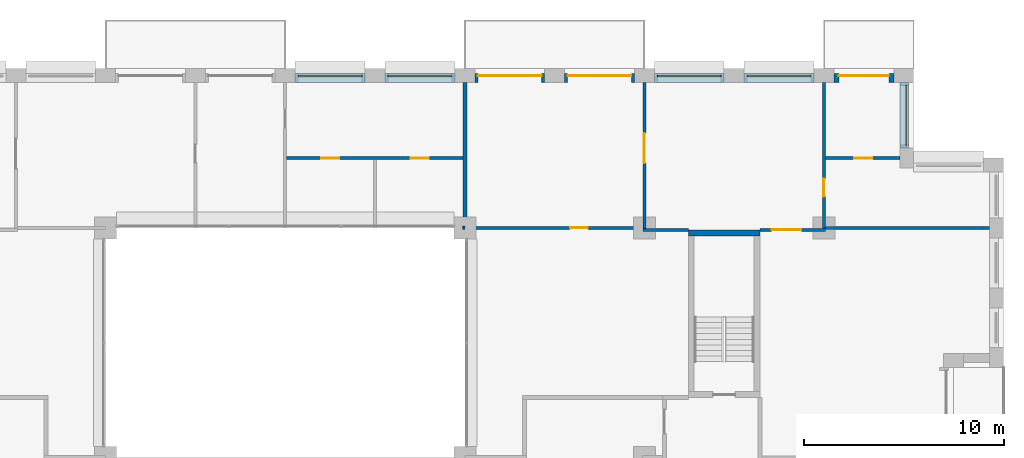
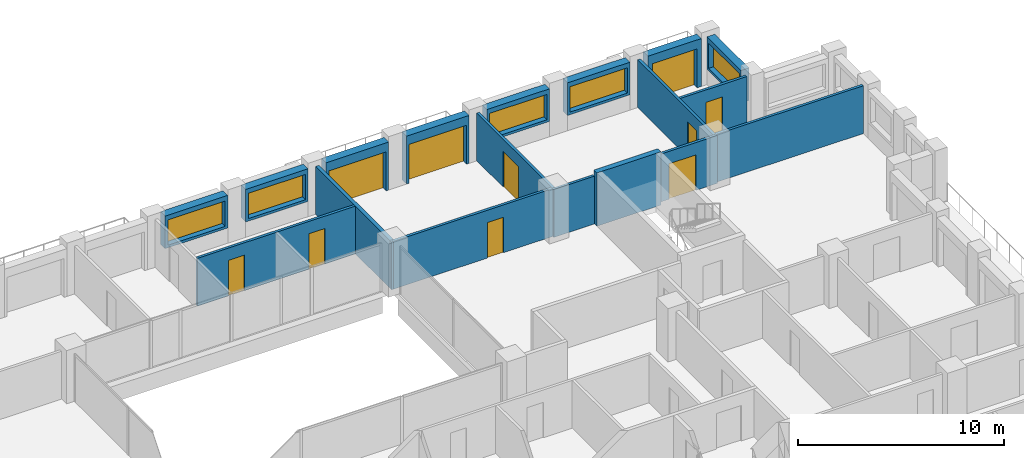
# One storey, part 13 of 15: 19 walls, 10 doors, 5 windows, 15 openings.
"""IFC4 building model written with IfcOpenShell, lengths in metres."""

import ifcopenshell
import ifcopenshell.guid

model = None  # the IFC model being written
_history = None  # IfcOwnerHistory: only IFC2X3 demands one
_inside = {}  # id of a spatial element -> (the spatial element, [elements in it])
_under = {}  # id of a project, library or spatial element -> (it, [spatial elements below it])
_declared = {}  # id of a project -> (the project, [libraries it declares])
_typed = {}  # id of a type object -> (the type object, [elements of that type])
_made_of = {}  # id of a material, layer set ... -> (it, [elements and type objects made of it])


def new_model(schema):
    """Start an empty IFC model of exactly this schema.

    Asked for "IFC4X3", IfcOpenShell would pick the latest addendum, in which some entities
    have other attributes; the version numbers below select the first issue.
    IFC2X3 requires an IfcOwnerHistory on every rooted entity: one is made here for all.
    """
    global model, _history
    if schema == "IFC4X3":
        model = ifcopenshell.file(schema_version=(4, 3, 0, 0))
    else:
        model = ifcopenshell.file(schema=schema)
    _inside.clear()
    _under.clear()
    _declared.clear()
    _typed.clear()
    _made_of.clear()
    _history = None
    if model.schema == "IFC2X3":
        org = make("IfcOrganization", Name="unknown")
        user = make(
            "IfcPersonAndOrganization",
            ThePerson=make("IfcPerson", FamilyName="unknown"),
            TheOrganization=org,
        )
        app = make(
            "IfcApplication",
            ApplicationDeveloper=org,
            Version="unknown",
            ApplicationFullName="unknown",
            ApplicationIdentifier="unknown",
        )
        _history = make(
            "IfcOwnerHistory",
            OwningUser=user,
            OwningApplication=app,
            ChangeAction="ADDED",
            CreationDate=0,
        )
    return model


def make(cls, **values):
    """One entity of the class cls with the attributes given. An attribute that is None is left unset."""
    return model.create_entity(
        cls, **{name: value for name, value in values.items() if value is not None}
    )


def rooted(cls, **values):
    """An entity with a GlobalId (a new one), such as an element, a storey or a relation."""
    return make(cls, GlobalId=ifcopenshell.guid.new(), OwnerHistory=_history, **values)


def si_unit(unit_type, name, prefix=None):
    """IfcSIUnit, for example si_unit("LENGTHUNIT", "METRE", prefix="MILLI")."""
    return make("IfcSIUnit", UnitType=unit_type, Prefix=prefix, Name=name)


def assignment(units):
    """IfcUnitAssignment: the units of a project."""
    return None if units is None else make("IfcUnitAssignment", Units=units)


def point(xyz):
    """IfcCartesianPoint."""
    return None if xyz is None else make("IfcCartesianPoint", Coordinates=xyz)


def direction(xyz):
    """IfcDirection."""
    return None if xyz is None else make("IfcDirection", DirectionRatios=xyz)


def frame(location, z_axis=None, x_axis=None):
    """IfcAxis2Placement3D, a coordinate frame: its origin and axes. An axis left out is left unset."""
    return make(
        "IfcAxis2Placement3D",
        Location=point(location),
        Axis=direction(z_axis),
        RefDirection=direction(x_axis),
    )


def frame_2d(location, x_axis=None):
    """IfcAxis2Placement2D, a coordinate frame in the plane: its origin and x axis."""
    return make(
        "IfcAxis2Placement2D", Location=point(location), RefDirection=direction(x_axis)
    )


def origin():
    """The frame at (0, 0, 0) with its axes left unset."""
    return frame((0.0, 0.0, 0.0))


def place(relative_to, where):
    """IfcLocalPlacement: puts the frame where relative to a parent placement (None: the world)."""
    return make(
        "IfcLocalPlacement", PlacementRelTo=relative_to, RelativePlacement=where
    )


def context(
    kind, dimensions, precision=None, world=None, true_north=None, identifier=None
):
    """IfcGeometricRepresentationContext, for example the 3D "Model" context."""
    return make(
        "IfcGeometricRepresentationContext",
        ContextIdentifier=identifier,
        ContextType=kind,
        CoordinateSpaceDimension=dimensions,
        Precision=precision,
        WorldCoordinateSystem=world,
        TrueNorth=true_north,
    )


def subcontext(parent, identifier, kind, view, scale=None):
    """IfcGeometricRepresentationSubContext, for example "Body" below "Model"."""
    return make(
        "IfcGeometricRepresentationSubContext",
        ContextIdentifier=identifier,
        ContextType=kind,
        ParentContext=parent,
        TargetScale=scale,
        TargetView=view,
    )


def project(units=None, contexts=None):
    """IfcProject with its units and contexts."""
    return rooted(
        "IfcProject",
        Name="project",
        RepresentationContexts=contexts,
        UnitsInContext=assignment(units),
    )


def spatial(cls, under=None, at=None, **own):
    """A site, building, storey or space (cls), placed at a placement, below another one or the project."""
    s = rooted(cls, ObjectPlacement=at, **own)
    if under is not None:
        _under.setdefault(under.id(), (under, []))[1].append(s)
    return s


def profile(cls, at=None, kind="AREA", **sizes):
    """A parametric profile (cls). Its sizes go by their IFC names, for example OverallWidth=200.0."""
    return make(cls, ProfileType=kind, Position=at, **sizes)


def rectangle(**sizes):
    """IfcRectangleProfileDef."""
    return profile("IfcRectangleProfileDef", **sizes)


def extrude(swept, where, along, depth):
    """IfcExtrudedAreaSolid: the profile swept, set in the frame where, extruded along a direction by depth."""
    return make(
        "IfcExtrudedAreaSolid",
        SweptArea=swept,
        Position=where,
        ExtrudedDirection=direction(along),
        Depth=depth,
    )


def shape(context_of_items, identifier, shape_type, items):
    """IfcShapeRepresentation: the items that make up one representation, for example the "Body"."""
    return make(
        "IfcShapeRepresentation",
        ContextOfItems=context_of_items,
        RepresentationIdentifier=identifier,
        RepresentationType=shape_type,
        Items=items,
    )


def material(Name=None, Category=None):
    """IfcMaterial."""
    return make("IfcMaterial", Name=Name, Category=Category)


def layer(
    of_material, thickness, ventilated=None, Name=None, Category=None, Priority=None
):
    """IfcMaterialLayer: one layer of a wall or slab, of a material (None: an air gap)."""
    return make(
        "IfcMaterialLayer",
        Material=of_material,
        LayerThickness=thickness,
        IsVentilated=ventilated,
        Name=Name,
        Category=Category,
        Priority=Priority,
    )


def layer_set(layers, Name=None):
    """IfcMaterialLayerSet."""
    return make("IfcMaterialLayerSet", MaterialLayers=layers, LayerSetName=Name)


def made_of(thing, what):
    """Note that an element or type object is made of a material, layer set ...; save() writes the relation."""
    if what is not None:
        _made_of.setdefault(what.id(), (what, []))[1].append(thing)
    return thing


def type_object(cls, material=None, **own):
    """A type object (cls), such as IfcWallType, which elements share."""
    return made_of(rooted(cls, **own), material)


def element(
    cls,
    number,
    at=None,
    inside=None,
    cuts=None,
    type_object=None,
    material=None,
    context=None,
    identifier="Body",
    shape_type=None,
    held_by="IfcProductDefinitionShape",
    body=None,
    shapes=None,
    **own,
):
    """One element of the class cls, such as IfcWall. Its Tag is "e" and its number.

    at: its placement. inside: the storey or other place that contains it. cuts: it is an
    opening in that element (IfcRelVoidsElement). A single representation is given by context,
    identifier, shape_type and body (its items); several are given by shapes. held_by: the class
    of the entity that holds the representations. save() writes the other relations.
    """
    e = rooted(cls, Tag="e%d" % number, ObjectPlacement=at, **own)
    if body is not None:
        shapes = [shape(context, identifier, shape_type, body)]
    if shapes is not None:
        e.Representation = make(held_by, Representations=shapes)
    if inside is not None:
        _inside.setdefault(inside.id(), (inside, []))[1].append(e)
    if cuts is not None:
        rooted(
            "IfcRelVoidsElement", RelatingBuildingElement=cuts, RelatedOpeningElement=e
        )
    if type_object is not None:
        _typed.setdefault(type_object.id(), (type_object, []))[1].append(e)
    return made_of(e, material)


def fill(opening, filler):
    """IfcRelFillsElement: the door or window that sits in an opening."""
    return rooted(
        "IfcRelFillsElement",
        RelatingOpeningElement=opening,
        RelatedBuildingElement=filler,
    )


def aggregate(whole, parts):
    """IfcRelAggregates: a whole, such as a stair, and the parts it consists of."""
    return rooted("IfcRelAggregates", RelatingObject=whole, RelatedObjects=parts)


def save(model, path):
    """Write the relations noted so far, then the file.

    IfcRelAggregates (storeys below a building ...), IfcRelContainedInSpatialStructure (elements
    in a storey), IfcRelDefinesByType, IfcRelAssociatesMaterial and IfcRelDeclares: one each for
    every whole, place, type object, material and project.
    """
    for whole, parts in _under.values():
        aggregate(whole, parts)
    for where, things in _inside.values():
        rooted(
            "IfcRelContainedInSpatialStructure",
            RelatedElements=things,
            RelatingStructure=where,
        )
    for kind, things in _typed.values():
        rooted("IfcRelDefinesByType", RelatedObjects=things, RelatingType=kind)
    for what, things in _made_of.values():
        rooted("IfcRelAssociatesMaterial", RelatedObjects=things, RelatingMaterial=what)
    for by, libraries in _declared.values():
        rooted("IfcRelDeclares", RelatingContext=by, RelatedDefinitions=libraries)
    model.write(path)


model = new_model("IFC4")

# Units and contexts
model_context = context("Model", 3, precision=1e-05, world=origin(), true_north=direction((0.0, 1.0)))
body_context = subcontext(model_context, "Body", "Model", "MODEL_VIEW")
ifc_project = project(units=[si_unit("LENGTHUNIT", "METRE"), si_unit("AREAUNIT", "SQUARE_METRE"), si_unit("VOLUMEUNIT", "CUBIC_METRE"), si_unit("PLANEANGLEUNIT", "RADIAN"), si_unit("MASSUNIT", "GRAM", prefix="KILO")], contexts=[model_context])

# Site, building, storey
site_placement = place(None, origin())
site = spatial("IfcSite", under=ifc_project, at=site_placement, CompositionType="ELEMENT")
building_placement = place(site_placement, origin())
building = spatial("IfcBuilding", under=site, at=building_placement, Name="Brigalow Station Residences", CompositionType="ELEMENT")
storey_placement = place(building_placement, frame((0.0, 0.0, 175.949951171875)))
storey = spatial("IfcBuildingStorey", under=building, at=storey_placement, Name="L51", CompositionType="ELEMENT", Elevation=175.949951171875)

# Wall, opening, window
ifc_material_1 = material(Name="Clay brick masonry", Category="masonry")
ifc_layer_1 = layer(ifc_material_1, 0.449951171875)
ifc_layer_set_1 = layer_set([ifc_layer_1], Name="BRICK INFILL WALL 450")
wall_type_1 = type_object("IfcWallType", Name="BRICK INFILL WALL 450", PredefinedType="SOLIDWALL", material=ifc_layer_set_1)
wall_1_placement = place(storey_placement, frame((67.02490234375, 39.5, 0.900146484375), z_axis=(0.0, 0.0, 1.0), x_axis=(0.0, 1.0, 0.0)))
wall_1 = element("IfcWall", 1, at=wall_1_placement, inside=storey, type_object=wall_type_1, Name="L51/ewall/W-L51-21", PredefinedType="SOLIDWALL", context=body_context, shape_type="SweptSolid", body=[
    extrude(rectangle(XDim=3.300048828125, YDim=0.449951171875, at=frame_2d((1.64990234375, 0.0))), origin(), (0.0, 0.0, 1.0), 1.929931640625),
])
opening_1_placement = place(wall_1_placement, frame((0.14990234375, 0.0, 0.14990234375)))
opening_1 = element("IfcOpeningElement", 2, at=opening_1_placement, cuts=wall_1, Name="Opening WT-2", PredefinedType="OPENING", context=body_context, shape_type="SweptSolid", body=[
    extrude(rectangle(XDim=3.0, YDim=1.5, at=frame_2d((1.5, 0.75))), frame((0.0, 0.23486328125, 0.0), z_axis=(0.0, -1.0, 0.0), x_axis=(1.0, 0.0, 0.0)), (0.0, 0.0, 1.0), 0.469970703125),
])
ifc_material_2 = material(Name="Anodised aluminium frame with double glazing", Category="aluminium")
window_type_1 = type_object("IfcWindowType", Name="WINDOW 3000x1500", PartitioningType="SINGLE_PANEL", PredefinedType="WINDOW", material=ifc_material_2)
window_1_placement = place(opening_1_placement, origin())
window_1 = element("IfcWindow", 3, at=window_1_placement, inside=storey, type_object=window_type_1, Name="L51/window/W-L51-21", OverallHeight=1.5, OverallWidth=3.0, PartitioningType="SINGLE_PANEL", PredefinedType="WINDOW", context=body_context, shape_type="SweptSolid", body=[
    extrude(rectangle(XDim=3.0, YDim=1.5, at=frame_2d((1.5, 0.75))), frame((0.0, -0.06494140625, 0.0), z_axis=(0.0, -1.0, 0.0), x_axis=(1.0, 0.0, 0.0)), (0.0, 0.0, 1.0), 0.06005859375),
])
fill(opening_1, window_1)

# Wall, opening, door
wall_2_placement = place(storey_placement, frame((66.5, 43.02490234375, 0.0), z_axis=(0.0, 0.0, 1.0), x_axis=(-1.0, 0.0, 0.0)))
wall_2 = element("IfcWall", 4, at=wall_2_placement, inside=storey, type_object=wall_type_1, Name="L51/ewall/W-L51-22", PredefinedType="SOLIDWALL", context=body_context, shape_type="SweptSolid", body=[
    extrude(rectangle(XDim=3.0, YDim=0.449951171875, at=frame_2d((1.5, 0.0))), origin(), (0.0, 0.0, 1.0), 2.830078125),
])
opening_2_placement = place(wall_2_placement, frame((0.25, 0.0, 0.0)))
opening_2 = element("IfcOpeningElement", 5, at=opening_2_placement, cuts=wall_2, Name="Opening D-B2500", PredefinedType="OPENING", context=body_context, shape_type="SweptSolid", body=[
    extrude(rectangle(XDim=2.5, YDim=2.300048828125, at=frame_2d((1.25, 1.14990234375))), frame((0.0, 0.23486328125, 0.0), z_axis=(0.0, -1.0, 0.0), x_axis=(1.0, 0.0, 0.0)), (0.0, 0.0, 1.0), 0.469970703125),
])
ifc_material_3 = material(Name="Anodised aluminium frame with double glazing", Category="aluminium")
door_type_1 = type_object("IfcDoorType", Name="BALCONY SLIDING DOOR 2500x2300", OperationType="SLIDING_TO_LEFT", PredefinedType="DOOR", material=ifc_material_3)
door_1_placement = place(opening_2_placement, origin())
door_1 = element("IfcDoor", 6, at=door_1_placement, inside=storey, type_object=door_type_1, Name="L51/balcony-door/W-L51-22", OperationType="SLIDING_TO_LEFT", OverallHeight=2.300048828125, OverallWidth=2.5, PredefinedType="DOOR", context=body_context, shape_type="SweptSolid", body=[
    extrude(rectangle(XDim=2.5, YDim=2.300048828125, at=frame_2d((1.25, 1.14990234375))), frame((0.0, -0.06982421875, 0.0), z_axis=(0.0, -1.0, 0.0), x_axis=(1.0, 0.0, 0.0)), (0.0, 0.0, 1.0), 0.050048828125),
])
fill(opening_2, door_1)

# Wall, opening, window
wall_3_placement = place(storey_placement, frame((62.5, 43.02490234375, 0.900146484375), z_axis=(0.0, 0.0, 1.0), x_axis=(-1.0, 0.0, 0.0)))
wall_3 = element("IfcWall", 7, at=wall_3_placement, inside=storey, type_object=wall_type_1, Name="L51/ewall/W-L51-23", PredefinedType="SOLIDWALL", context=body_context, shape_type="SweptSolid", body=[
    extrude(rectangle(XDim=3.5, YDim=0.449951171875, at=frame_2d((1.75, 0.0))), origin(), (0.0, 0.0, 1.0), 1.929931640625),
])
opening_3_placement = place(wall_3_placement, frame((0.14990234375, 0.0, 0.14990234375)))
opening_3 = element("IfcOpeningElement", 8, at=opening_3_placement, cuts=wall_3, Name="Opening WT-9", PredefinedType="OPENING", context=body_context, shape_type="SweptSolid", body=[
    extrude(rectangle(XDim=3.199951171875, YDim=1.5, at=frame_2d((1.60009765625, 0.75))), frame((0.0, 0.23486328125, 0.0), z_axis=(0.0, -1.0, 0.0), x_axis=(1.0, 0.0, 0.0)), (0.0, 0.0, 1.0), 0.469970703125),
])
ifc_material_4 = material(Name="Anodised aluminium frame with double glazing", Category="aluminium")
window_type_2 = type_object("IfcWindowType", Name="WINDOW 3200x1500", PartitioningType="SINGLE_PANEL", PredefinedType="WINDOW", material=ifc_material_4)
window_2_placement = place(opening_3_placement, origin())
window_2 = element("IfcWindow", 9, at=window_2_placement, inside=storey, type_object=window_type_2, Name="L51/window/W-L51-23", OverallHeight=1.5, OverallWidth=3.199951171875, PartitioningType="SINGLE_PANEL", PredefinedType="WINDOW", context=body_context, shape_type="SweptSolid", body=[
    extrude(rectangle(XDim=3.199951171875, YDim=1.5, at=frame_2d((1.60009765625, 0.75))), frame((0.0, -0.06494140625, 0.0), z_axis=(0.0, -1.0, 0.0), x_axis=(1.0, 0.0, 0.0)), (0.0, 0.0, 1.0), 0.06005859375),
])
fill(opening_3, window_2)

wall_4_placement = place(storey_placement, frame((58.0, 43.02490234375, 0.900146484375), z_axis=(0.0, 0.0, 1.0), x_axis=(-1.0, 0.0, 0.0)))
wall_4 = element("IfcWall", 10, at=wall_4_placement, inside=storey, type_object=wall_type_1, Name="L51/ewall/W-L51-24", PredefinedType="SOLIDWALL", context=body_context, shape_type="SweptSolid", body=[
    extrude(rectangle(XDim=3.5, YDim=0.449951171875, at=frame_2d((1.75, 0.0))), origin(), (0.0, 0.0, 1.0), 1.929931640625),
])
opening_4_placement = place(wall_4_placement, frame((0.14990234375, 0.0, 0.14990234375)))
opening_4 = element("IfcOpeningElement", 11, at=opening_4_placement, cuts=wall_4, Name="Opening WT-9", PredefinedType="OPENING", context=body_context, shape_type="SweptSolid", body=[
    extrude(rectangle(XDim=3.199951171875, YDim=1.5, at=frame_2d((1.60009765625, 0.75))), frame((0.0, 0.23486328125, 0.0), z_axis=(0.0, -1.0, 0.0), x_axis=(1.0, 0.0, 0.0)), (0.0, 0.0, 1.0), 0.469970703125),
])
window_3_placement = place(opening_4_placement, origin())
window_3 = element("IfcWindow", 12, at=window_3_placement, inside=storey, type_object=window_type_2, Name="L51/window/W-L51-24", OverallHeight=1.5, OverallWidth=3.199951171875, PartitioningType="SINGLE_PANEL", PredefinedType="WINDOW", context=body_context, shape_type="SweptSolid", body=[
    extrude(rectangle(XDim=3.199951171875, YDim=1.5, at=frame_2d((1.60009765625, 0.75))), frame((0.0, -0.06494140625, 0.0), z_axis=(0.0, -1.0, 0.0), x_axis=(1.0, 0.0, 0.0)), (0.0, 0.0, 1.0), 0.06005859375),
])
fill(opening_4, window_3)

# Wall, opening, door
wall_5_placement = place(storey_placement, frame((53.5, 43.02490234375, 0.0), z_axis=(0.0, 0.0, 1.0), x_axis=(-1.0, 0.0, 0.0)))
wall_5 = element("IfcWall", 13, at=wall_5_placement, inside=storey, type_object=wall_type_1, Name="L51/ewall/W-L51-25", PredefinedType="SOLIDWALL", context=body_context, shape_type="SweptSolid", body=[
    extrude(rectangle(XDim=3.5, YDim=0.449951171875, at=frame_2d((1.75, 0.0))), origin(), (0.0, 0.0, 1.0), 2.830078125),
])
opening_5_placement = place(wall_5_placement, frame((0.14990234375, 0.0, 0.0)))
opening_5 = element("IfcOpeningElement", 14, at=opening_5_placement, cuts=wall_5, Name="Opening D-B3200", PredefinedType="OPENING", context=body_context, shape_type="SweptSolid", body=[
    extrude(rectangle(XDim=3.199951171875, YDim=2.300048828125, at=frame_2d((1.60009765625, 1.14990234375))), frame((0.0, 0.23486328125, 0.0), z_axis=(0.0, -1.0, 0.0), x_axis=(1.0, 0.0, 0.0)), (0.0, 0.0, 1.0), 0.469970703125),
])
ifc_material_5 = material(Name="Anodised aluminium frame with double glazing", Category="aluminium")
door_type_2 = type_object("IfcDoorType", Name="BALCONY SLIDING DOOR 3200x2300", OperationType="SLIDING_TO_LEFT", PredefinedType="DOOR", material=ifc_material_5)
door_2_placement = place(opening_5_placement, origin())
door_2 = element("IfcDoor", 15, at=door_2_placement, inside=storey, type_object=door_type_2, Name="L51/balcony-door/W-L51-25", OperationType="SLIDING_TO_LEFT", OverallHeight=2.300048828125, OverallWidth=3.199951171875, PredefinedType="DOOR", context=body_context, shape_type="SweptSolid", body=[
    extrude(rectangle(XDim=3.199951171875, YDim=2.300048828125, at=frame_2d((1.60009765625, 1.14990234375))), frame((0.0, -0.06982421875, 0.0), z_axis=(0.0, -1.0, 0.0), x_axis=(1.0, 0.0, 0.0)), (0.0, 0.0, 1.0), 0.050048828125),
])
fill(opening_5, door_2)

wall_6_placement = place(storey_placement, frame((49.0, 43.02490234375, 0.0), z_axis=(0.0, 0.0, 1.0), x_axis=(-1.0, 0.0, 0.0)))
wall_6 = element("IfcWall", 16, at=wall_6_placement, inside=storey, type_object=wall_type_1, Name="L51/ewall/W-L51-26", PredefinedType="SOLIDWALL", context=body_context, shape_type="SweptSolid", body=[
    extrude(rectangle(XDim=3.5, YDim=0.449951171875, at=frame_2d((1.75, 0.0))), origin(), (0.0, 0.0, 1.0), 2.830078125),
])
opening_6_placement = place(wall_6_placement, frame((0.14990234375, 0.0, 0.0)))
opening_6 = element("IfcOpeningElement", 17, at=opening_6_placement, cuts=wall_6, Name="Opening D-B3200", PredefinedType="OPENING", context=body_context, shape_type="SweptSolid", body=[
    extrude(rectangle(XDim=3.199951171875, YDim=2.300048828125, at=frame_2d((1.60009765625, 1.14990234375))), frame((0.0, 0.23486328125, 0.0), z_axis=(0.0, -1.0, 0.0), x_axis=(1.0, 0.0, 0.0)), (0.0, 0.0, 1.0), 0.469970703125),
])
door_3_placement = place(opening_6_placement, origin())
door_3 = element("IfcDoor", 18, at=door_3_placement, inside=storey, type_object=door_type_2, Name="L51/balcony-door/W-L51-26", OperationType="SLIDING_TO_LEFT", OverallHeight=2.300048828125, OverallWidth=3.199951171875, PredefinedType="DOOR", context=body_context, shape_type="SweptSolid", body=[
    extrude(rectangle(XDim=3.199951171875, YDim=2.300048828125, at=frame_2d((1.60009765625, 1.14990234375))), frame((0.0, -0.06982421875, 0.0), z_axis=(0.0, -1.0, 0.0), x_axis=(1.0, 0.0, 0.0)), (0.0, 0.0, 1.0), 0.050048828125),
])
fill(opening_6, door_3)

# Wall, opening, window
wall_7_placement = place(storey_placement, frame((44.5, 43.02490234375, 0.900146484375), z_axis=(0.0, 0.0, 1.0), x_axis=(-1.0, 0.0, 0.0)))
wall_7 = element("IfcWall", 19, at=wall_7_placement, inside=storey, type_object=wall_type_1, Name="L51/ewall/W-L51-27", PredefinedType="SOLIDWALL", context=body_context, shape_type="SweptSolid", body=[
    extrude(rectangle(XDim=3.5, YDim=0.449951171875, at=frame_2d((1.75, 0.0))), origin(), (0.0, 0.0, 1.0), 1.929931640625),
])
opening_7_placement = place(wall_7_placement, frame((0.14990234375, 0.0, 0.14990234375)))
opening_7 = element("IfcOpeningElement", 20, at=opening_7_placement, cuts=wall_7, Name="Opening WT-9", PredefinedType="OPENING", context=body_context, shape_type="SweptSolid", body=[
    extrude(rectangle(XDim=3.199951171875, YDim=1.5, at=frame_2d((1.60009765625, 0.75))), frame((0.0, 0.23486328125, 0.0), z_axis=(0.0, -1.0, 0.0), x_axis=(1.0, 0.0, 0.0)), (0.0, 0.0, 1.0), 0.469970703125),
])
window_4_placement = place(opening_7_placement, origin())
window_4 = element("IfcWindow", 21, at=window_4_placement, inside=storey, type_object=window_type_2, Name="L51/window/W-L51-27", OverallHeight=1.5, OverallWidth=3.199951171875, PartitioningType="SINGLE_PANEL", PredefinedType="WINDOW", context=body_context, shape_type="SweptSolid", body=[
    extrude(rectangle(XDim=3.199951171875, YDim=1.5, at=frame_2d((1.60009765625, 0.75))), frame((0.0, -0.06494140625, 0.0), z_axis=(0.0, -1.0, 0.0), x_axis=(1.0, 0.0, 0.0)), (0.0, 0.0, 1.0), 0.06005859375),
])
fill(opening_7, window_4)

wall_8_placement = place(storey_placement, frame((40.0, 43.02490234375, 0.900146484375), z_axis=(0.0, 0.0, 1.0), x_axis=(-1.0, 0.0, 0.0)))
wall_8 = element("IfcWall", 22, at=wall_8_placement, inside=storey, type_object=wall_type_1, Name="L51/ewall/W-L51-28", PredefinedType="SOLIDWALL", context=body_context, shape_type="SweptSolid", body=[
    extrude(rectangle(XDim=3.5, YDim=0.449951171875, at=frame_2d((1.75, 0.0))), origin(), (0.0, 0.0, 1.0), 1.929931640625),
])
opening_8_placement = place(wall_8_placement, frame((0.14990234375, 0.0, 0.14990234375)))
opening_8 = element("IfcOpeningElement", 23, at=opening_8_placement, cuts=wall_8, Name="Opening WT-9", PredefinedType="OPENING", context=body_context, shape_type="SweptSolid", body=[
    extrude(rectangle(XDim=3.199951171875, YDim=1.5, at=frame_2d((1.60009765625, 0.75))), frame((0.0, 0.23486328125, 0.0), z_axis=(0.0, -1.0, 0.0), x_axis=(1.0, 0.0, 0.0)), (0.0, 0.0, 1.0), 0.469970703125),
])
window_5_placement = place(opening_8_placement, origin())
window_5 = element("IfcWindow", 24, at=window_5_placement, inside=storey, type_object=window_type_2, Name="L51/window/W-L51-28", OverallHeight=1.5, OverallWidth=3.199951171875, PartitioningType="SINGLE_PANEL", PredefinedType="WINDOW", context=body_context, shape_type="SweptSolid", body=[
    extrude(rectangle(XDim=3.199951171875, YDim=1.5, at=frame_2d((1.60009765625, 0.75))), frame((0.0, -0.06494140625, 0.0), z_axis=(0.0, -1.0, 0.0), x_axis=(1.0, 0.0, 0.0)), (0.0, 0.0, 1.0), 0.06005859375),
])
fill(opening_8, window_5)

# Walls
ifc_material_6 = material(Name="Concrete C65", Category="concrete")
ifc_layer_2 = layer(ifc_material_6, 0.300048828125)
ifc_layer_set_2 = layer_set([ifc_layer_2], Name="CORE SHEAR WALL 300 C65")
wall_type_2 = type_object("IfcWallType", Name="CORE SHEAR WALL 300 C65", PredefinedType="SHEAR", material=ifc_layer_set_2)
wall_9_placement = place(storey_placement, frame((56.199951171875, 35.25, 0.0), z_axis=(0.0, 0.0, 1.0), x_axis=(1.0, 0.0, 0.0)))
element("IfcWall", 25, at=wall_9_placement, inside=storey, type_object=wall_type_2, Name="CORE WALL ST-S3-N L51", PredefinedType="SHEAR", context=body_context, shape_type="SweptSolid", body=[
    extrude(rectangle(XDim=3.60009765625, YDim=0.300048828125, at=frame_2d((1.800048828125, 0.0))), origin(), (0.0, 0.0, 1.0), 3.150146484375),
])
ifc_material_7 = material(Name="Plasterboard on steel stud partition", Category="steel")
ifc_layer_3 = layer(ifc_material_7, 0.14990234375)
ifc_layer_set_3 = layer_set([ifc_layer_3], Name="FLAT PARTITION 150")
wall_type_3 = type_object("IfcWallType", Name="FLAT PARTITION 150", PredefinedType="PARTITIONING", material=ifc_layer_set_3)
wall_10_placement = place(storey_placement, frame((53.925048828125, 35.39990234375, 0.0), z_axis=(0.0, 0.0, 1.0), x_axis=(1.0, 0.0, 0.0)))
element("IfcWall", 26, at=wall_10_placement, inside=storey, type_object=wall_type_3, Name="PW-3E19", PredefinedType="PARTITIONING", context=body_context, shape_type="SweptSolid", body=[
    extrude(rectangle(XDim=2.27490234375, YDim=0.14990234375, at=frame_2d((1.137451171875, 0.0))), origin(), (0.0, 0.0, 1.0), 2.830078125),
])

# Wall, opening, door
wall_11_placement = place(storey_placement, frame((59.800048828125, 35.39990234375, 0.0), z_axis=(0.0, 0.0, 1.0), x_axis=(1.0, 0.0, 0.0)))
wall_11 = element("IfcWall", 27, at=wall_11_placement, inside=storey, type_object=wall_type_3, Name="PW-3E20", PredefinedType="PARTITIONING", context=body_context, shape_type="SweptSolid", body=[
    extrude(rectangle(XDim=3.27490234375, YDim=0.14990234375, at=frame_2d((1.637451171875, 0.0))), origin(), (0.0, 0.0, 1.0), 2.830078125),
])
opening_9_placement = place(wall_11_placement, frame((0.574951171875, 0.0, 0.0)))
opening_9 = element("IfcOpeningElement", 28, at=opening_9_placement, cuts=wall_11, Name="Opening D-3E30", PredefinedType="OPENING", context=body_context, shape_type="SweptSolid", body=[
    extrude(rectangle(XDim=1.5, YDim=2.10009765625, at=frame_2d((0.75, 1.050048828125))), frame((0.0, 0.0849609375, 0.0), z_axis=(0.0, -1.0, 0.0), x_axis=(1.0, 0.0, 0.0)), (0.0, 0.0, 1.0), 0.169921875),
])
ifc_material_8 = material(Name="Solid-core timber door leaf", Category="wood")
door_type_3 = type_object("IfcDoorType", Name="INTERNAL DOUBLE DOOR 1500 x 2100", OperationType="DOUBLE_DOOR_SINGLE_SWING", PredefinedType="DOOR", material=ifc_material_8)
door_4_placement = place(opening_9_placement, origin())
door_4 = element("IfcDoor", 29, at=door_4_placement, inside=storey, type_object=door_type_3, Name="D-3E30", OperationType="DOUBLE_DOOR_SINGLE_SWING", OverallHeight=2.10009765625, OverallWidth=1.5, PredefinedType="DOOR", context=body_context, shape_type="SweptSolid", body=[
    extrude(rectangle(XDim=1.5, YDim=2.10009765625, at=frame_2d((0.75, 1.050048828125))), frame((0.0, 0.02490234375, 0.0), z_axis=(0.0, -1.0, 0.0), x_axis=(1.0, 0.0, 0.0)), (0.0, 0.0, 1.0), 0.050048828125),
])
fill(opening_9, door_4)

# Wall
wall_12_placement = place(storey_placement, frame((44.89990234375, 35.5, 0.0), z_axis=(0.0, 0.0, 1.0), x_axis=(1.0, 0.0, 0.0)))
element("IfcWall", 30, at=wall_12_placement, inside=storey, type_object=wall_type_3, Name="PW-3E22", PredefinedType="PARTITIONING", context=body_context, shape_type="SweptSolid", body=[
    extrude(rectangle(XDim=0.10009765625, YDim=0.14990234375, at=frame_2d((0.050048828125, 0.0))), origin(), (0.0, 0.0, 1.0), 2.830078125),
])

# Wall, opening, door
wall_13_placement = place(storey_placement, frame((45.0, 35.5, 0.0), z_axis=(0.0, 0.0, 1.0), x_axis=(1.0, 0.0, 0.0)))
wall_13 = element("IfcWall", 31, at=wall_13_placement, inside=storey, type_object=wall_type_3, Name="PW-3E23", PredefinedType="PARTITIONING", context=body_context, shape_type="SweptSolid", body=[
    extrude(rectangle(XDim=8.925048828125, YDim=0.14990234375, at=frame_2d((4.46240234375, 0.0))), origin(), (0.0, 0.0, 1.0), 2.830078125),
])
opening_10_placement = place(wall_13_placement, frame((5.27490234375, 0.0, 0.0)))
opening_10 = element("IfcOpeningElement", 32, at=opening_10_placement, cuts=wall_13, Name="Opening D-3E32", PredefinedType="OPENING", context=body_context, shape_type="SweptSolid", body=[
    extrude(rectangle(XDim=0.89990234375, YDim=2.10009765625, at=frame_2d((0.449951171875, 1.050048828125))), frame((0.0, 0.0849609375, 0.0), z_axis=(0.0, -1.0, 0.0), x_axis=(1.0, 0.0, 0.0)), (0.0, 0.0, 1.0), 0.169921875),
])
ifc_material_9 = material(Name="Solid-core timber door leaf", Category="wood")
door_type_4 = type_object("IfcDoorType", Name="INTERNAL DOOR 900 x 2100", OperationType="SINGLE_SWING_LEFT", PredefinedType="DOOR", material=ifc_material_9)
door_5_placement = place(opening_10_placement, frame((0.89990234375, 0.0, 0.0), z_axis=(0.0, 0.0, 1.0), x_axis=(-1.0, 0.0, 0.0)))
door_5 = element("IfcDoor", 33, at=door_5_placement, inside=storey, type_object=door_type_4, Name="D-3E32", OperationType="SINGLE_SWING_LEFT", OverallHeight=2.10009765625, OverallWidth=0.89990234375, PredefinedType="DOOR", context=body_context, shape_type="SweptSolid", body=[
    extrude(rectangle(XDim=0.89990234375, YDim=2.10009765625, at=frame_2d((0.449951171875, 1.050048828125))), frame((0.0, 0.02490234375, 0.0), z_axis=(0.0, -1.0, 0.0), x_axis=(1.0, 0.0, 0.0)), (0.0, 0.0, 1.0), 0.050048828125),
])
fill(opening_10, door_5)

# Wall
wall_14_placement = place(storey_placement, frame((63.074951171875, 35.5, 0.0), z_axis=(0.0, 0.0, 1.0), x_axis=(1.0, 0.0, 0.0)))
element("IfcWall", 34, at=wall_14_placement, inside=storey, type_object=wall_type_3, Name="PW-3E24", PredefinedType="PARTITIONING", context=body_context, shape_type="SweptSolid", body=[
    extrude(rectangle(XDim=8.22509765625, YDim=0.14990234375, at=frame_2d((4.112548828125, 0.0))), origin(), (0.0, 0.0, 1.0), 2.830078125),
])

# Wall, openings, doors
wall_15_placement = place(storey_placement, frame((36.074951171875, 39.0, 0.0), z_axis=(0.0, 0.0, 1.0), x_axis=(1.0, 0.0, 0.0)))
wall_15 = element("IfcWall", 35, at=wall_15_placement, inside=storey, type_object=wall_type_3, Name="PW-3E25", PredefinedType="PARTITIONING", context=body_context, shape_type="SweptSolid", body=[
    extrude(rectangle(XDim=8.824951171875, YDim=0.14990234375, at=frame_2d((4.41259765625, 0.0))), origin(), (0.0, 0.0, 1.0), 2.830078125),
])
opening_11_placement = place(wall_15_placement, frame((1.72509765625, 0.0, 0.0)))
opening_11 = element("IfcOpeningElement", 36, at=opening_11_placement, cuts=wall_15, Name="Opening D-3E16", PredefinedType="OPENING", context=body_context, shape_type="SweptSolid", body=[
    extrude(rectangle(XDim=0.89990234375, YDim=2.10009765625, at=frame_2d((0.449951171875, 1.050048828125))), frame((0.0, 0.0849609375, 0.0), z_axis=(0.0, -1.0, 0.0), x_axis=(1.0, 0.0, 0.0)), (0.0, 0.0, 1.0), 0.169921875),
])
opening_12_placement = place(wall_15_placement, frame((6.22509765625, 0.0, 0.0)))
opening_12 = element("IfcOpeningElement", 37, at=opening_12_placement, cuts=wall_15, Name="Opening D-3E17", PredefinedType="OPENING", context=body_context, shape_type="SweptSolid", body=[
    extrude(rectangle(XDim=0.89990234375, YDim=2.10009765625, at=frame_2d((0.449951171875, 1.050048828125))), frame((0.0, 0.0849609375, 0.0), z_axis=(0.0, -1.0, 0.0), x_axis=(1.0, 0.0, 0.0)), (0.0, 0.0, 1.0), 0.169921875),
])
door_6_placement = place(opening_11_placement, frame((0.89990234375, 0.0, 0.0), z_axis=(0.0, 0.0, 1.0), x_axis=(-1.0, 0.0, 0.0)))
door_6 = element("IfcDoor", 38, at=door_6_placement, inside=storey, type_object=door_type_4, Name="D-3E16", OperationType="SINGLE_SWING_RIGHT", OverallHeight=2.10009765625, OverallWidth=0.89990234375, PredefinedType="DOOR", context=body_context, shape_type="SweptSolid", body=[
    extrude(rectangle(XDim=0.89990234375, YDim=2.10009765625, at=frame_2d((0.449951171875, 1.050048828125))), frame((0.0, 0.02490234375, 0.0), z_axis=(0.0, -1.0, 0.0), x_axis=(1.0, 0.0, 0.0)), (0.0, 0.0, 1.0), 0.050048828125),
])
fill(opening_11, door_6)
door_7_placement = place(opening_12_placement, frame((0.89990234375, 0.0, 0.0), z_axis=(0.0, 0.0, 1.0), x_axis=(-1.0, 0.0, 0.0)))
door_7 = element("IfcDoor", 39, at=door_7_placement, inside=storey, type_object=door_type_4, Name="D-3E17", OperationType="SINGLE_SWING_LEFT", OverallHeight=2.10009765625, OverallWidth=0.89990234375, PredefinedType="DOOR", context=body_context, shape_type="SweptSolid", body=[
    extrude(rectangle(XDim=0.89990234375, YDim=2.10009765625, at=frame_2d((0.449951171875, 1.050048828125))), frame((0.0, 0.02490234375, 0.0), z_axis=(0.0, -1.0, 0.0), x_axis=(1.0, 0.0, 0.0)), (0.0, 0.0, 1.0), 0.050048828125),
])
fill(opening_12, door_7)

# Wall, opening, door
wall_16_placement = place(storey_placement, frame((63.074951171875, 39.0, 0.0), z_axis=(0.0, 0.0, 1.0), x_axis=(1.0, 0.0, 0.0)))
wall_16 = element("IfcWall", 40, at=wall_16_placement, inside=storey, type_object=wall_type_3, Name="PW-3E26", PredefinedType="PARTITIONING", context=body_context, shape_type="SweptSolid", body=[
    extrude(rectangle(XDim=3.72509765625, YDim=0.14990234375, at=frame_2d((1.862548828125, 0.0))), origin(), (0.0, 0.0, 1.0), 2.830078125),
])
opening_13_placement = place(wall_16_placement, frame((1.449951171875, 0.0, 0.0)))
opening_13 = element("IfcOpeningElement", 41, at=opening_13_placement, cuts=wall_16, Name="Opening D-3E34", PredefinedType="OPENING", context=body_context, shape_type="SweptSolid", body=[
    extrude(rectangle(XDim=0.89990234375, YDim=2.10009765625, at=frame_2d((0.449951171875, 1.050048828125))), frame((0.0, 0.0849609375, 0.0), z_axis=(0.0, -1.0, 0.0), x_axis=(1.0, 0.0, 0.0)), (0.0, 0.0, 1.0), 0.169921875),
])
door_8_placement = place(opening_13_placement, origin())
door_8 = element("IfcDoor", 42, at=door_8_placement, inside=storey, type_object=door_type_4, Name="D-3E34", OperationType="SINGLE_SWING_RIGHT", OverallHeight=2.10009765625, OverallWidth=0.89990234375, PredefinedType="DOOR", context=body_context, shape_type="SweptSolid", body=[
    extrude(rectangle(XDim=0.89990234375, YDim=2.10009765625, at=frame_2d((0.449951171875, 1.050048828125))), frame((0.0, 0.02490234375, 0.0), z_axis=(0.0, -1.0, 0.0), x_axis=(1.0, 0.0, 0.0)), (0.0, 0.0, 1.0), 0.050048828125),
])
fill(opening_13, door_8)

wall_17_placement = place(storey_placement, frame((54.0, 35.47509765625, 0.0), z_axis=(0.0, 0.0, 1.0), x_axis=(0.0, 1.0, 0.0)))
wall_17 = element("IfcWall", 43, at=wall_17_placement, inside=storey, type_object=wall_type_3, Name="PW-3E29", PredefinedType="PARTITIONING", context=body_context, shape_type="SweptSolid", body=[
    extrude(rectangle(XDim=7.324951171875, YDim=0.14990234375, at=frame_2d((3.66259765625, 0.0))), origin(), (0.0, 0.0, 1.0), 2.830078125),
])
opening_14_placement = place(wall_17_placement, frame((3.27490234375, 0.0, 0.0)))
opening_14 = element("IfcOpeningElement", 44, at=opening_14_placement, cuts=wall_17, Name="Opening D-3E31", PredefinedType="OPENING", context=body_context, shape_type="SweptSolid", body=[
    extrude(rectangle(XDim=1.5, YDim=2.10009765625, at=frame_2d((0.75, 1.050048828125))), frame((0.0, 0.0849609375, 0.0), z_axis=(0.0, -1.0, 0.0), x_axis=(1.0, 0.0, 0.0)), (0.0, 0.0, 1.0), 0.169921875),
])
door_9_placement = place(opening_14_placement, origin())
door_9 = element("IfcDoor", 45, at=door_9_placement, inside=storey, type_object=door_type_3, Name="D-3E31", OperationType="DOUBLE_DOOR_SINGLE_SWING", OverallHeight=2.10009765625, OverallWidth=1.5, PredefinedType="DOOR", context=body_context, shape_type="SweptSolid", body=[
    extrude(rectangle(XDim=1.5, YDim=2.10009765625, at=frame_2d((0.75, 1.050048828125))), frame((0.0, 0.02490234375, 0.0), z_axis=(0.0, -1.0, 0.0), x_axis=(1.0, 0.0, 0.0)), (0.0, 0.0, 1.0), 0.050048828125),
])
fill(opening_14, door_9)

wall_18_placement = place(storey_placement, frame((63.0, 35.47509765625, 0.0), z_axis=(0.0, 0.0, 1.0), x_axis=(0.0, 1.0, 0.0)))
wall_18 = element("IfcWall", 46, at=wall_18_placement, inside=storey, type_object=wall_type_3, Name="PW-3E49", PredefinedType="PARTITIONING", context=body_context, shape_type="SweptSolid", body=[
    extrude(rectangle(XDim=7.324951171875, YDim=0.14990234375, at=frame_2d((3.66259765625, 0.0))), origin(), (0.0, 0.0, 1.0), 2.830078125),
])
opening_15_placement = place(wall_18_placement, frame((1.60009765625, 0.0, 0.0)))
opening_15 = element("IfcOpeningElement", 47, at=opening_15_placement, cuts=wall_18, Name="Opening D-3E33", PredefinedType="OPENING", context=body_context, shape_type="SweptSolid", body=[
    extrude(rectangle(XDim=0.89990234375, YDim=2.10009765625, at=frame_2d((0.449951171875, 1.050048828125))), frame((0.0, 0.0849609375, 0.0), z_axis=(0.0, -1.0, 0.0), x_axis=(1.0, 0.0, 0.0)), (0.0, 0.0, 1.0), 0.169921875),
])
door_10_placement = place(opening_15_placement, frame((0.89990234375, 0.0, 0.0), z_axis=(0.0, 0.0, 1.0), x_axis=(-1.0, 0.0, 0.0)))
door_10 = element("IfcDoor", 48, at=door_10_placement, inside=storey, type_object=door_type_4, Name="D-3E33", OperationType="SINGLE_SWING_LEFT", OverallHeight=2.10009765625, OverallWidth=0.89990234375, PredefinedType="DOOR", context=body_context, shape_type="SweptSolid", body=[
    extrude(rectangle(XDim=0.89990234375, YDim=2.10009765625, at=frame_2d((0.449951171875, 1.050048828125))), frame((0.0, 0.02490234375, 0.0), z_axis=(0.0, -1.0, 0.0), x_axis=(1.0, 0.0, 0.0)), (0.0, 0.0, 1.0), 0.050048828125),
])
fill(opening_15, door_10)

# Wall
ifc_material_10 = material(Name="Plasterboard on steel stud partition", Category="steel")
ifc_layer_4 = layer(ifc_material_10, 0.199951171875)
ifc_layer_set_4 = layer_set([ifc_layer_4], Name="PARTY AND CORRIDOR WALL 200")
wall_type_4 = type_object("IfcWallType", Name="PARTY AND CORRIDOR WALL 200", PredefinedType="PARTITIONING", material=ifc_layer_set_4)
wall_19_placement = place(storey_placement, frame((45.0, 35.574951171875, 0.0), z_axis=(0.0, 0.0, 1.0), x_axis=(0.0, 1.0, 0.0)))
element("IfcWall", 49, at=wall_19_placement, inside=storey, type_object=wall_type_4, Name="PW-3E42", PredefinedType="PARTITIONING", context=body_context, shape_type="SweptSolid", body=[
    extrude(rectangle(XDim=7.22509765625, YDim=0.199951171875, at=frame_2d((3.612548828125, 0.0))), origin(), (0.0, 0.0, 1.0), 2.830078125),
])

save(model, "model.ifc")
